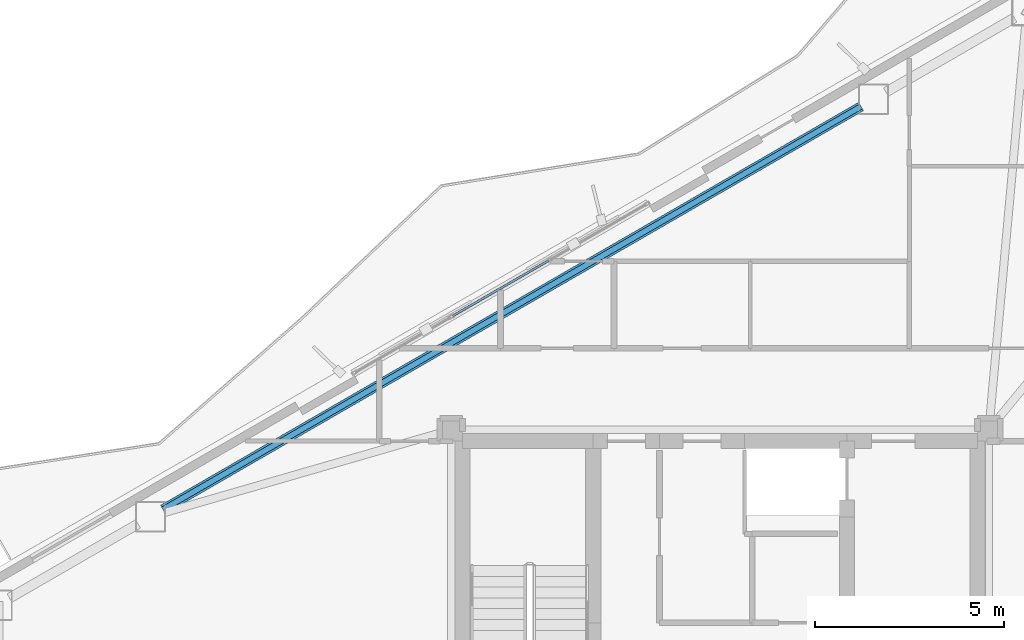
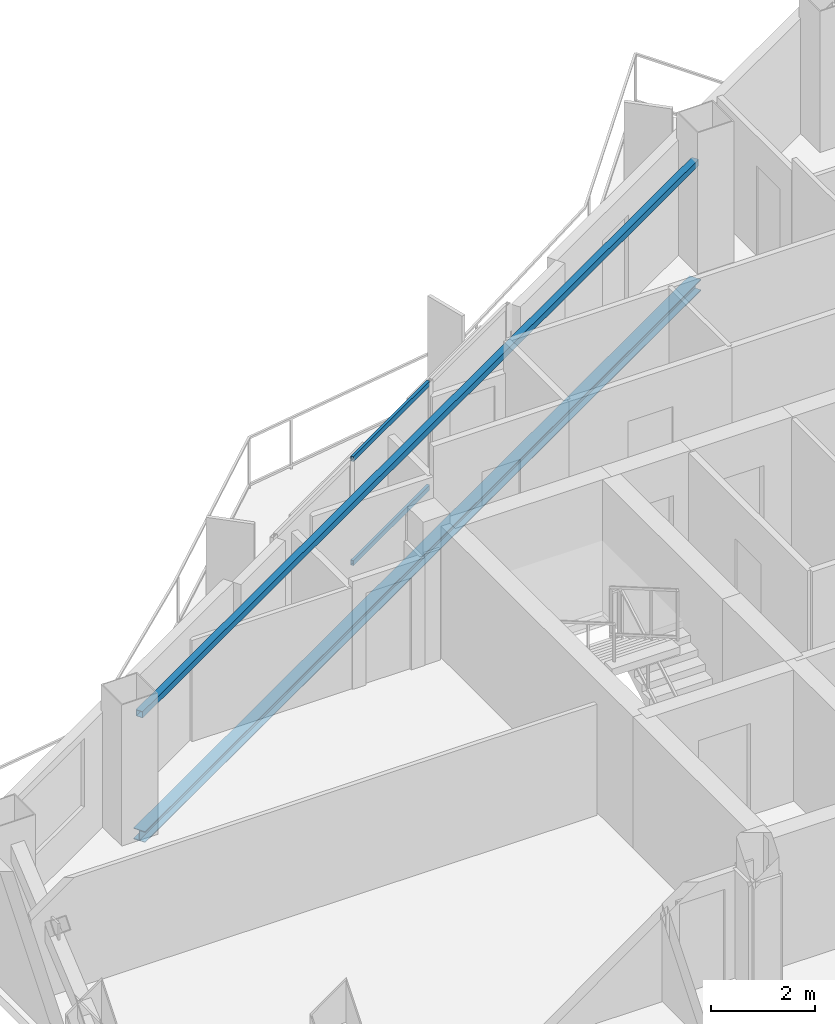
# One storey, part 9 of 21: 2 beams, 2 members, 1 element without a shape of its own.
"""IFC4 building model written with IfcOpenShell, lengths in metres."""

from ifc_helpers import new_model, si_unit, direction, frame, origin, origin_2d, place, context, subcontext, project, spatial, hollow_rectangle, i_section, extrude, material, layer, layer_set, material_profile, profile_set, type_object, element, aggregate, save


model = new_model("IFC4")

# Units and contexts
model_context = context("Model", 3, precision=1e-05, world=origin(), true_north=direction((0.0, 1.0)))
body_context = subcontext(model_context, "Body", "Model", "MODEL_VIEW")
ifc_project = project(units=[si_unit("LENGTHUNIT", "METRE"), si_unit("AREAUNIT", "SQUARE_METRE"), si_unit("VOLUMEUNIT", "CUBIC_METRE"), si_unit("PLANEANGLEUNIT", "RADIAN"), si_unit("MASSUNIT", "GRAM", prefix="KILO")], contexts=[model_context])

# Site, building, storey
site_placement = place(None, origin())
site = spatial("IfcSite", under=ifc_project, at=site_placement, CompositionType="ELEMENT")
building_placement = place(site_placement, origin())
building = spatial("IfcBuilding", under=site, at=building_placement, Name="Mersakhor Tower and Convention Hall", CompositionType="ELEMENT")
storey_placement = place(building_placement, frame((0.0, 0.0, 211.800048828125)))
storey = spatial("IfcBuildingStorey", under=building, at=storey_placement, Name="L59", CompositionType="ELEMENT", Elevation=211.800048828125)

# Beams
ifc_material_1 = material(Name="Steel S355", Category="steel")
ifc_material_profile_1 = material_profile(ifc_material_1, hollow_rectangle(XDim=0.14990234375, YDim=0.14990234375, WallThickness=0.010009765625, at=origin_2d()), Name="SHS 150x150x10")
ifc_profile_set_1 = profile_set([ifc_material_profile_1], Name="Steel S355")
beam_type_1 = type_object("IfcBeamType", Name="BM-GRT-SHS150", PredefinedType="USERDEFINED", material=ifc_profile_set_1)
beam_1_placement = place(storey_placement, frame((14.288818359375, 30.94482421875, 2.47998046875), z_axis=(0.866024569776, 0.500001444543, 0.0), x_axis=(-0.500001444543, 0.866024569776, 0.0)))
element("IfcBeam", 1, at=beam_1_placement, inside=storey, type_object=beam_type_1, Name="L59 Facade Support Girt GRT-F1", ObjectType="GIRT", PredefinedType="USERDEFINED", context=body_context, shape_type="SweptSolid", body=[
    extrude(hollow_rectangle(XDim=0.14990234375, YDim=0.14990234375, WallThickness=0.010009765625, at=origin_2d()), origin(), (0.0, 0.0, 1.0), 21.28564453125),
])
ifc_material_2 = material(Name="Steel S355", Category="steel")
ifc_material_profile_2 = material_profile(ifc_material_2, i_section(OverallWidth=0.25634765625, OverallDepth=0.26025390625, WebThickness=0.01025390625, FlangeThickness=0.017333984375, at=origin_2d()), Name="UC 254x254x89")
ifc_profile_set_2 = profile_set([ifc_material_profile_2], Name="Steel S355")
beam_type_2 = type_object("IfcBeamType", Name="BM-SPD-UC254", PredefinedType="SPANDREL", material=ifc_profile_set_2)
beam_2_placement = place(storey_placement, frame((14.288818359375, 30.94482421875, -0.360107421875), z_axis=(0.866024569776, 0.500001444543, 0.0), x_axis=(-0.500001444543, 0.866024569776, 0.0)))
element("IfcBeam", 2, at=beam_2_placement, inside=storey, type_object=beam_type_2, Name="L59 Perimeter Spandrel Beam SPB-02", PredefinedType="SPANDREL", context=body_context, shape_type="SweptSolid", body=[
    extrude(i_section(OverallWidth=0.25634765625, OverallDepth=0.26025390625, WebThickness=0.01025390625, FlangeThickness=0.017333984375, at=origin_2d()), origin(), (0.0, 0.0, 1.0), 21.28564453125),
])

# Curtain wall, members
ifc_material_3 = material(Name="Dark solar low-E aluminium curtain wall", Category="aluminium")
ifc_layer = layer(ifc_material_3, 0.169921875)
ifc_layer_set = layer_set([ifc_layer], Name="Dark solar low-E aluminium curtain wall")
curtain_wall_type = type_object("IfcCurtainWallType", Name="CW-SYS-02", PredefinedType="USERDEFINED", material=ifc_layer_set)
curtain_wall_placement = place(storey_placement, origin())
curtain_wall = element("IfcCurtainWall", 3, at=curtain_wall_placement, inside=storey, type_object=curtain_wall_type, Name="L59 Dark-Glass Curtain Wall F1-B2", ObjectType="CURTAIN WALL", PredefinedType="USERDEFINED")
ifc_material_4 = material(Name="Anodised aluminium EN AW-6063 T6", Category="aluminium")
ifc_material_profile_3 = material_profile(ifc_material_4, hollow_rectangle(XDim=0.06005859375, YDim=0.1201171875, WallThickness=0.0048828125, at=origin_2d()), Name="RHS 120x60x5")
ifc_profile_set_3 = profile_set([ifc_material_profile_3], Name="Anodised aluminium EN AW-6063 T6")
member_type = type_object("IfcMemberType", Name="CWT-120x60", PredefinedType="USERDEFINED", material=ifc_profile_set_3)
member_1_placement = place(storey_placement, frame((21.939453125, 36.0546875, 0.22998046875), z_axis=(0.866004860328, 0.500035580622, 0.0), x_axis=(-0.500035580622, 0.866004860328, 0.0)))
member_1 = element("IfcMember", 4, at=member_1_placement, type_object=member_type, Name="CW-02 transom 2.1", ObjectType="TRANSOM", PredefinedType="USERDEFINED", context=body_context, shape_type="SweptSolid", body=[
    extrude(hollow_rectangle(XDim=0.06005859375, YDim=0.1201171875, WallThickness=0.0048828125, at=origin_2d()), origin(), (0.0, 0.0, 1.0), 2.924560546875),
])
member_2_placement = place(storey_placement, frame((21.939453125, 36.0546875, 2.659912109375), z_axis=(0.866004860328, 0.500035580622, 0.0), x_axis=(-0.500035580622, 0.866004860328, 0.0)))
member_2 = element("IfcMember", 5, at=member_2_placement, type_object=member_type, Name="CW-02 transom 2.2", ObjectType="TRANSOM", PredefinedType="USERDEFINED", context=body_context, shape_type="SweptSolid", body=[
    extrude(hollow_rectangle(XDim=0.06005859375, YDim=0.1201171875, WallThickness=0.0048828125, at=origin_2d()), origin(), (0.0, 0.0, 1.0), 2.924560546875),
])
aggregate(curtain_wall, [member_1, member_2])

save(model, "model.ifc")
